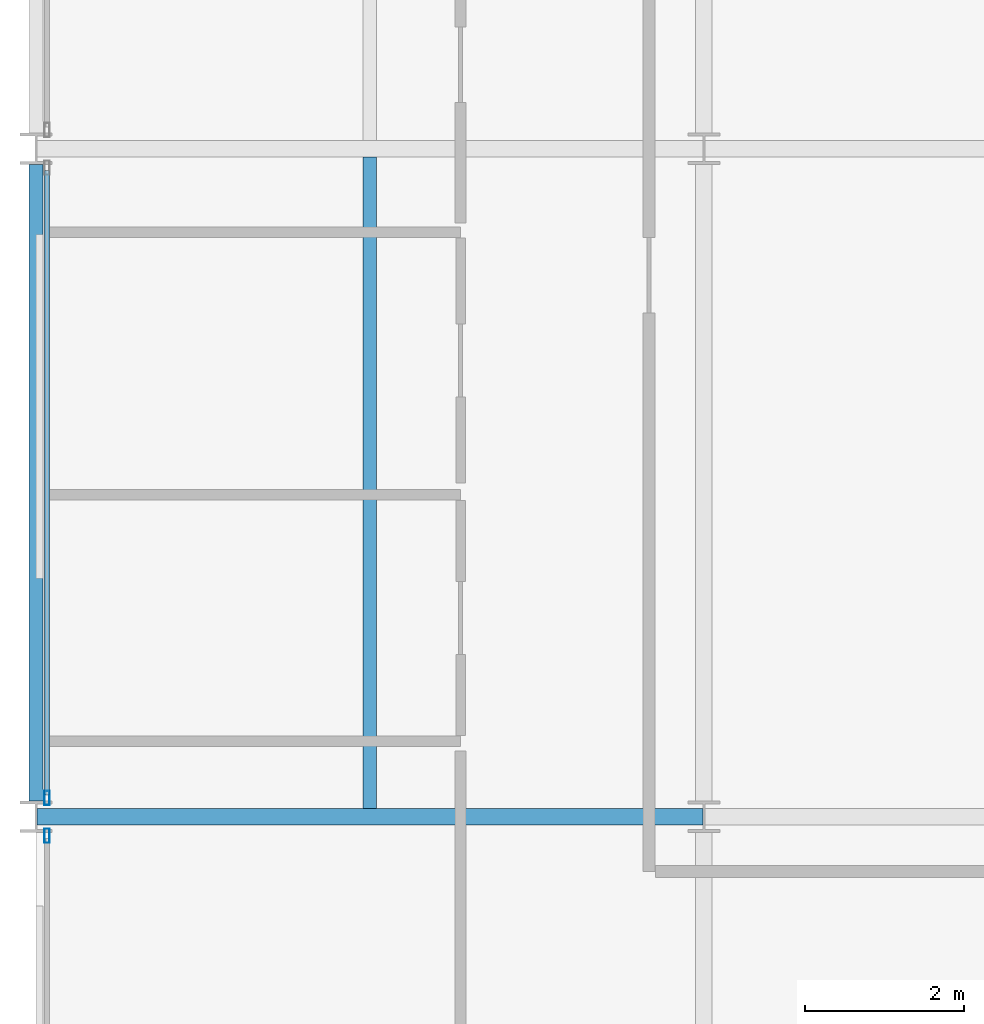
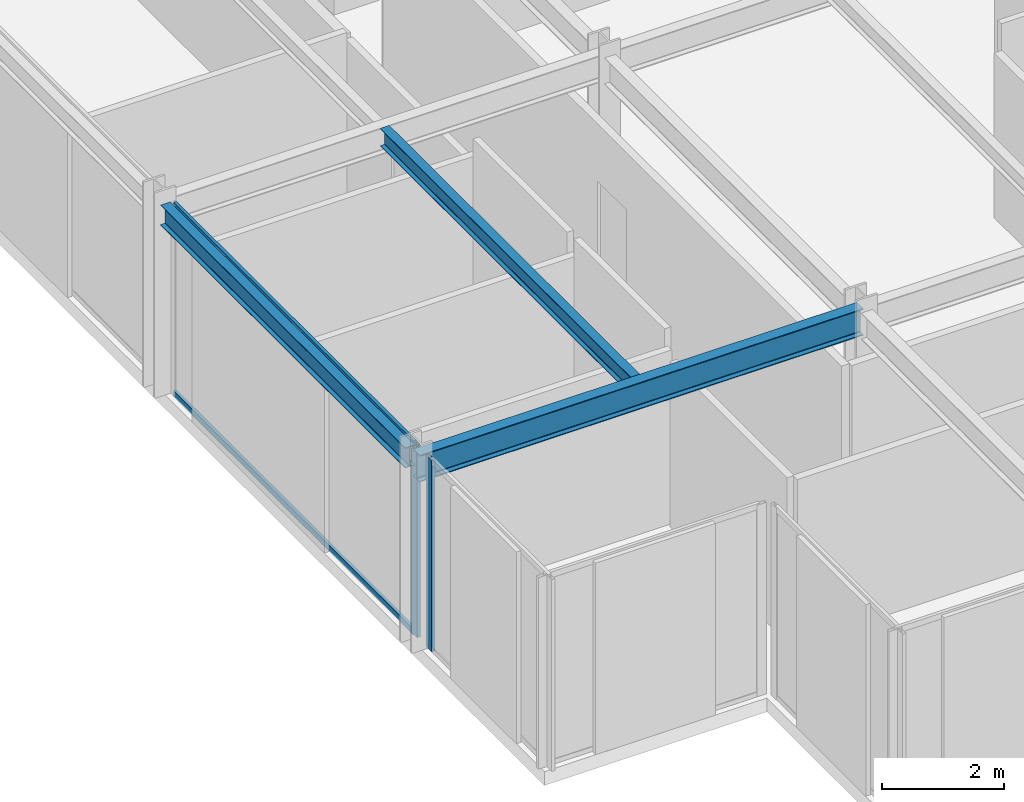
# One storey, part 4 of 29: 4 members, 3 beams, 2 elements without a shape of their own.
"""IFC4 building model written with IfcOpenShell, lengths in metres."""

from ifc_helpers import new_model, si_unit, direction, frame, origin, origin_2d, place, context, subcontext, project, spatial, hollow_rectangle, i_section, extrude, material, layer, layer_set, material_profile, profile_set, type_object, element, aggregate, save


model = new_model("IFC4")

# Units and contexts
model_context = context("Model", 3, precision=1e-05, world=origin(), true_north=direction((0.0, 1.0)))
body_context = subcontext(model_context, "Body", "Model", "MODEL_VIEW")
ifc_project = project(units=[si_unit("LENGTHUNIT", "METRE"), si_unit("AREAUNIT", "SQUARE_METRE"), si_unit("VOLUMEUNIT", "CUBIC_METRE"), si_unit("PLANEANGLEUNIT", "RADIAN"), si_unit("MASSUNIT", "GRAM", prefix="KILO")], contexts=[model_context])

# Site, building, storey
site_placement = place(None, origin())
site = spatial("IfcSite", under=ifc_project, at=site_placement, CompositionType="ELEMENT")
building_placement = place(site_placement, origin())
building = spatial("IfcBuilding", under=site, at=building_placement, Name="Nerrivon Quay Data Exchange", CompositionType="ELEMENT")
storey_placement = place(building_placement, frame((0.0, 0.0, 150.0)))
storey = spatial("IfcBuildingStorey", under=building, at=storey_placement, Name="L35", CompositionType="ELEMENT", Elevation=150.0)

# Beams
ifc_material_1 = material(Name="Steel Grade 350", Category="steel")
ifc_material_profile_1 = material_profile(ifc_material_1, i_section(OverallWidth=0.208984375, OverallDepth=0.532958984375, WebThickness=0.01025390625, FlangeThickness=0.015625, FilletRadius=0.013916015625, at=origin_2d()), Name="530UB92.4")
ifc_profile_set_1 = profile_set([ifc_material_profile_1], Name="Steel Grade 350")
beam_type_1 = type_object("IfcBeamType", Name="BM-G3-530UB92", PredefinedType="BEAM", material=ifc_profile_set_1)
beam_1_placement = place(storey_placement, frame((0.012451171875, 8.39990234375, 3.55859375), z_axis=(1.0, 0.0, 0.0), x_axis=(0.0, 1.0, 0.0)))
element("IfcBeam", 1, at=beam_1_placement, inside=storey, type_object=beam_type_1, Name="L35 EW Girder Y=8.4 (0.0..8.4)", PredefinedType="BEAM", context=body_context, shape_type="SweptSolid", body=[
    extrude(i_section(OverallWidth=0.208984375, OverallDepth=0.532958984375, WebThickness=0.01025390625, FlangeThickness=0.015625, FilletRadius=0.013916015625, at=origin_2d()), origin(), (0.0, 0.0, 1.0), 8.375),
])
ifc_material_profile_2 = material_profile(ifc_material_1, i_section(OverallWidth=0.1708984375, OverallDepth=0.35595703125, WebThickness=0.00732421875, FlangeThickness=0.011474609375, FilletRadius=0.011474609375, at=origin_2d()), Name="360UB50.7")
ifc_profile_set_2 = profile_set([ifc_material_profile_2], Name="Steel Grade 350")
beam_type_2 = type_object("IfcBeamType", Name="BM-J4-360UB51", PredefinedType="JOIST", material=ifc_profile_set_2)
beam_2_placement = place(storey_placement, frame((4.199951171875, 8.50439453125, 3.64697265625), z_axis=(0.0, 1.0, 0.0), x_axis=(-1.0, 0.0, 0.0)))
element("IfcBeam", 2, at=beam_2_placement, inside=storey, type_object=beam_type_2, Name="L35 Secondary Joist X=4.2 (8.4..16.8)", PredefinedType="JOIST", context=body_context, shape_type="SweptSolid", body=[
    extrude(i_section(OverallWidth=0.1708984375, OverallDepth=0.35595703125, WebThickness=0.00732421875, FlangeThickness=0.011474609375, FilletRadius=0.011474609375, at=origin_2d()), origin(), (0.0, 0.0, 1.0), 8.191162109375),
])
ifc_material_profile_3 = material_profile(ifc_material_1, i_section(OverallWidth=0.177978515625, OverallDepth=0.403076171875, WebThickness=0.007568359375, FlangeThickness=0.010986328125, FilletRadius=0.011474609375, at=origin_2d()), Name="410UB53.7")
ifc_profile_set_3 = profile_set([ifc_material_profile_3], Name="Steel Grade 350")
beam_type_3 = type_object("IfcBeamType", Name="BM-SP2-410UB54", PredefinedType="SPANDREL", material=ifc_profile_set_3)
beam_3_placement = place(storey_placement, frame((0.0, 8.60009765625, 3.62353515625), z_axis=(0.0, 1.0, 0.0), x_axis=(-1.0, 0.0, 0.0)))
element("IfcBeam", 3, at=beam_3_placement, inside=storey, type_object=beam_type_3, Name="L35 NS Girder X=0.0 (8.4..16.8)", PredefinedType="SPANDREL", context=body_context, shape_type="SweptSolid", body=[
    extrude(i_section(OverallWidth=0.177978515625, OverallDepth=0.403076171875, WebThickness=0.007568359375, FlangeThickness=0.010986328125, FilletRadius=0.011474609375, at=origin_2d()), origin(), (0.0, 0.0, 1.0), 8.0),
])

# Curtain wall, member
ifc_material_2 = material(Name="Anodised aluminium 6063-T6", Category="aluminium")
ifc_layer = layer(ifc_material_2, 0.2099609375)
ifc_layer_set = layer_set([ifc_layer], Name="Anodised aluminium 6063-T6")
curtain_wall_type = type_object("IfcCurtainWallType", Name="CW-SYS-02", PredefinedType="NOTDEFINED", material=ifc_layer_set)
curtain_wall_1_placement = place(storey_placement, origin())
curtain_wall_1 = element("IfcCurtainWall", 4, at=curtain_wall_1_placement, inside=storey, type_object=curtain_wall_type, Name="L35 Unitised Curtain Wall 11", PredefinedType="NOTDEFINED")
ifc_material_profile_4 = material_profile(ifc_material_2, hollow_rectangle(XDim=0.06494140625, YDim=0.179931640625, WallThickness=0.00341796875, at=origin_2d()), Name="ALU-MULL-180x65")
ifc_profile_set_4 = profile_set([ifc_material_profile_4], Name="Anodised aluminium 6063-T6")
member_type_1 = type_object("IfcMemberType", Name="CWM-180x65", PredefinedType="MULLION", material=ifc_profile_set_4)
member_1_placement = place(storey_placement, frame((0.139892578125, 8.16259765625, 0.0), z_axis=(0.0, 0.0, 1.0), x_axis=(-1.0, 0.0, 0.0)))
member_1 = element("IfcMember", 5, at=member_1_placement, type_object=member_type_1, Name="CW02 mullion 2", PredefinedType="MULLION", context=body_context, shape_type="SweptSolid", body=[
    extrude(hollow_rectangle(XDim=0.06494140625, YDim=0.179931640625, WallThickness=0.00341796875, at=origin_2d()), origin(), (0.0, 0.0, 1.0), 3.824951171875),
])
aggregate(curtain_wall_1, [member_1])

# Curtain wall, members
curtain_wall_2_placement = place(storey_placement, origin())
curtain_wall_2 = element("IfcCurtainWall", 6, at=curtain_wall_2_placement, inside=storey, type_object=curtain_wall_type, Name="L35 Unitised Curtain Wall 12", PredefinedType="NOTDEFINED")
member_2_placement = place(storey_placement, frame((0.139892578125, 8.637451171875, 0.0), z_axis=(0.0, 0.0, 1.0), x_axis=(-1.0, 0.0, 0.0)))
member_2 = element("IfcMember", 7, at=member_2_placement, type_object=member_type_1, Name="CW02 mullion 1", PredefinedType="MULLION", context=body_context, shape_type="SweptSolid", body=[
    extrude(hollow_rectangle(XDim=0.06494140625, YDim=0.179931640625, WallThickness=0.00341796875, at=origin_2d()), origin(), (0.0, 0.0, 1.0), 3.824951171875),
])
ifc_material_profile_5 = material_profile(ifc_material_2, hollow_rectangle(XDim=0.06005859375, YDim=0.1201171875, WallThickness=0.003173828125, at=origin_2d()), Name="ALU-TRAN-120x60")
ifc_profile_set_5 = profile_set([ifc_material_profile_5], Name="Anodised aluminium 6063-T6")
member_type_2 = type_object("IfcMemberType", Name="CWT-120x60", PredefinedType="USERDEFINED", material=ifc_profile_set_5)
member_3_placement = place(storey_placement, frame((0.139892578125, 8.675048828125, 0.032470703125), z_axis=(0.0, 1.0, 0.0), x_axis=(-1.0, 0.0, 0.0)))
member_3 = element("IfcMember", 8, at=member_3_placement, type_object=member_type_2, Name="CW02 transom 1.1", ObjectType="TRANSOM", PredefinedType="USERDEFINED", context=body_context, shape_type="SweptSolid", body=[
    extrude(hollow_rectangle(XDim=0.06005859375, YDim=0.1201171875, WallThickness=0.003173828125, at=origin_2d()), origin(), (0.0, 0.0, 1.0), 7.849853515625),
])
member_4_placement = place(storey_placement, frame((0.139892578125, 8.675048828125, 3.79248046875), z_axis=(0.0, 1.0, 0.0), x_axis=(-1.0, 0.0, 0.0)))
member_4 = element("IfcMember", 9, at=member_4_placement, type_object=member_type_2, Name="CW02 transom 1.2", ObjectType="TRANSOM", PredefinedType="USERDEFINED", context=body_context, shape_type="SweptSolid", body=[
    extrude(hollow_rectangle(XDim=0.06005859375, YDim=0.1201171875, WallThickness=0.003173828125, at=origin_2d()), origin(), (0.0, 0.0, 1.0), 7.849853515625),
])
aggregate(curtain_wall_2, [member_2, member_3, member_4])

save(model, "model.ifc")
